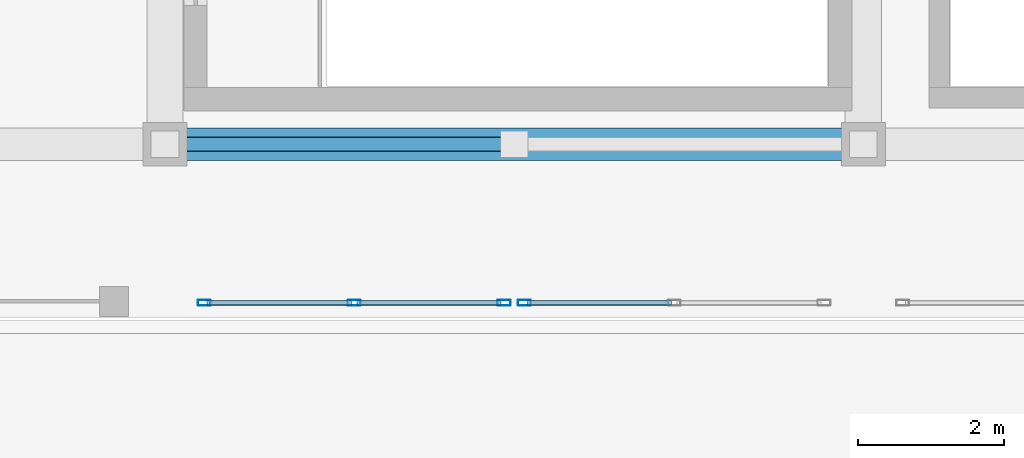
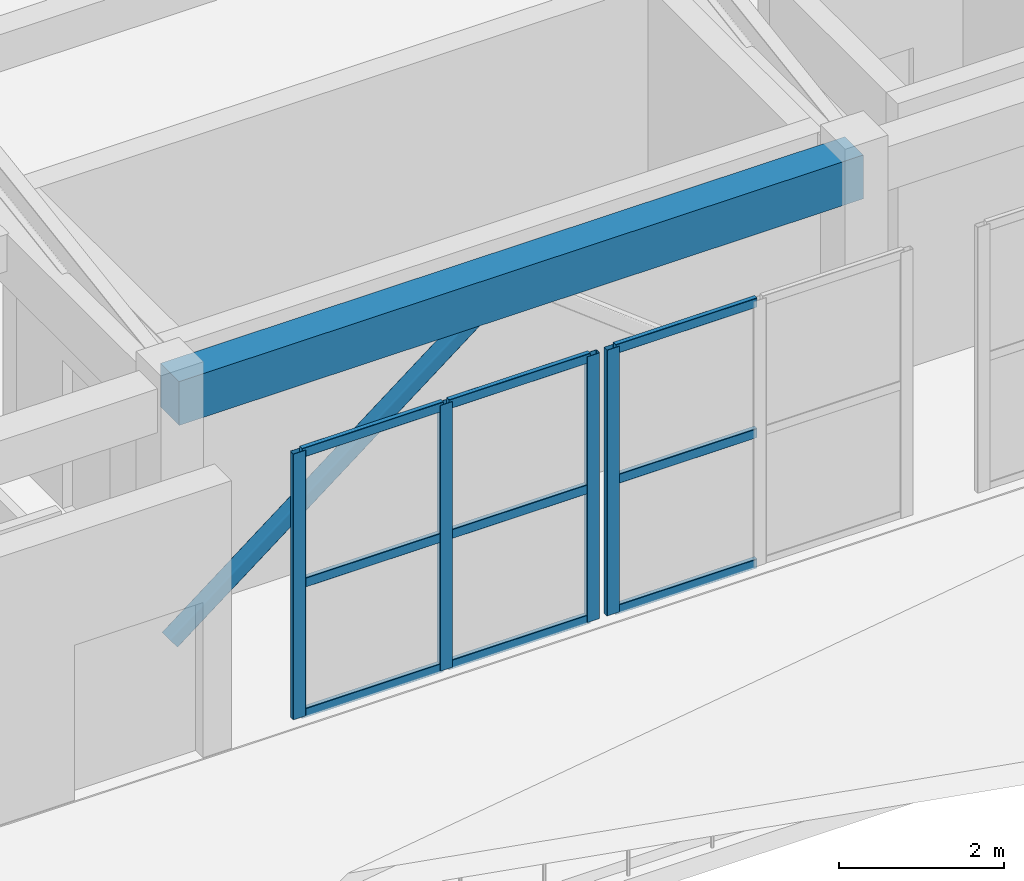
# One storey, part 2 of 29: 14 members, 1 beam, 2 elements without a shape of their own.
"""IFC4 building model written with IfcOpenShell, lengths in metres."""

from ifc_helpers import new_model, si_unit, direction, frame, origin, origin_2d, place, context, subcontext, project, spatial, rectangle, hollow_rectangle, extrude, material, layer, layer_set, material_profile, profile_set, type_object, element, aggregate, save


model = new_model("IFC4")

# Units and contexts
model_context = context("Model", 3, precision=1e-05, world=origin(), true_north=direction((0.0, 1.0)))
body_context = subcontext(model_context, "Body", "Model", "MODEL_VIEW")
ifc_project = project(units=[si_unit("LENGTHUNIT", "METRE"), si_unit("AREAUNIT", "SQUARE_METRE"), si_unit("VOLUMEUNIT", "CUBIC_METRE"), si_unit("PLANEANGLEUNIT", "RADIAN"), si_unit("MASSUNIT", "GRAM", prefix="KILO")], contexts=[model_context])

# Site, building, storey
site_placement = place(None, origin())
site = spatial("IfcSite", under=ifc_project, at=site_placement, CompositionType="ELEMENT")
building_placement = place(site_placement, origin())
building = spatial("IfcBuilding", under=site, at=building_placement, Name="Tarnavel Promenade Courthouse", CompositionType="ELEMENT")
storey_placement = place(building_placement, frame((0.0, 0.0, 22.800048828125)))
storey = spatial("IfcBuildingStorey", under=building, at=storey_placement, Name="L06", CompositionType="ELEMENT", Elevation=22.800048828125)

# Beam
ifc_material_1 = material(Name="Concrete C40/50", Category="concrete")
ifc_material_profile_1 = material_profile(ifc_material_1, rectangle(XDim=0.449951171875, YDim=0.64990234375, at=origin_2d()), Name="RC 450x650")
ifc_profile_set_1 = profile_set([ifc_material_profile_1], Name="Concrete C40/50")
beam_type = type_object("IfcBeamType", Name="Concrete C40/50 BM-RC-450x650 (RC 450x650)", PredefinedType="T_BEAM", material=ifc_profile_set_1)
beam_placement = place(storey_placement, frame((9.60009765625, 74.39990234375, 3.639892578125), z_axis=(1.0, 0.0, 0.0), x_axis=(0.0, 1.0, 0.0)))
element("IfcBeam", 1, at=beam_placement, inside=storey, type_object=beam_type, Name="L06 Primary Longitudinal Beam 2392", PredefinedType="T_BEAM", context=body_context, shape_type="SweptSolid", body=[
    extrude(rectangle(XDim=0.449951171875, YDim=0.64990234375, at=origin_2d()), origin(), (0.0, 0.0, 1.0), 9.599853515625),
])

# Member
ifc_material_2 = material(Name="Steel S355J2", Category="steel")
ifc_material_profile_2 = material_profile(ifc_material_2, hollow_rectangle(XDim=0.199951171875, YDim=0.199951171875, WallThickness=0.012451171875, InnerFilletRadius=0.012451171875, OuterFilletRadius=0.02490234375, at=origin_2d()), Name="SHS 200x200x12.5")
ifc_profile_set_2 = profile_set([ifc_material_profile_2], Name="Steel S355J2")
member_type_1 = type_object("IfcMemberType", Name="Steel S355J2 MEM-BR-SHS200 (SHS 200x200x12.5)", PredefinedType="BRACE", material=ifc_profile_set_2)
member_1_placement = place(storey_placement, frame((9.60009765625, 74.39990234375, 0.0), z_axis=(0.790814145279, 0.0, 0.612056359845), x_axis=(0.0, 1.0, 0.0)))
element("IfcMember", 2, at=member_1_placement, inside=storey, type_object=member_type_1, Name="L06 V2 Chevron Brace A 034", PredefinedType="BRACE", context=body_context, shape_type="SweptSolid", body=[
    extrude(hollow_rectangle(XDim=0.199951171875, YDim=0.199951171875, WallThickness=0.012451171875, InnerFilletRadius=0.012451171875, OuterFilletRadius=0.02490234375, at=origin_2d()), origin(), (0.0, 0.0, 1.0), 6.0693359375),
])

# Curtain wall, members
ifc_material_3 = material(Name="Thermally Broken Anodised Aluminium Curtain Wall System", Category="aluminium")
ifc_layer = layer(ifc_material_3, 0.195068359375)
ifc_layer_set = layer_set([ifc_layer], Name="Thermally Broken Anodised Aluminium Curtain Wall System")
curtain_wall_type = type_object("IfcCurtainWallType", Name="Thermally Broken Aluminium Triple-Glazed Curtain Wall CW-TER", PredefinedType="NOTDEFINED", material=ifc_layer_set)
curtain_wall_1_placement = place(storey_placement, origin())
curtain_wall_1 = element("IfcCurtainWall", 3, at=curtain_wall_1_placement, inside=storey, type_object=curtain_wall_type, Name="L06 Trial Wing Roof-Garden Glazed Bay 185", PredefinedType="NOTDEFINED")
ifc_material_4 = material(Name="Thermally Broken Anodised Aluminium Frame", Category="aluminium")
ifc_material_profile_3 = material_profile(ifc_material_4, hollow_rectangle(XDim=0.080078125, YDim=0.179931640625, WallThickness=0.0048828125, InnerFilletRadius=0.0048828125, OuterFilletRadius=0.010009765625, at=origin_2d()), Name="CWM 180x80x5")
ifc_profile_set_3 = profile_set([ifc_material_profile_3], Name="Thermally Broken Anodised Aluminium Frame")
member_type_2 = type_object("IfcMemberType", Name="Thermally Broken Anodised Aluminium CWM-155 (CWM 180x80x5)", PredefinedType="MULLION", material=ifc_profile_set_3)
member_2_placement = place(storey_placement, frame((10.139892578125, 72.219970703125, 0.0), z_axis=(0.0, 0.0, 1.0), x_axis=(0.0, 1.0, 0.0)))
member_2 = element("IfcMember", 4, at=member_2_placement, type_object=member_type_2, Name="CW-06 mullion 1", PredefinedType="MULLION", context=body_context, shape_type="SweptSolid", body=[
    extrude(hollow_rectangle(XDim=0.080078125, YDim=0.179931640625, WallThickness=0.0048828125, InnerFilletRadius=0.0048828125, OuterFilletRadius=0.010009765625, at=origin_2d()), origin(), (0.0, 0.0, 1.0), 3.93994140625),
])
member_3_placement = place(storey_placement, frame((12.199951171875, 72.219970703125, 0.0), z_axis=(0.0, 0.0, 1.0), x_axis=(0.0, 1.0, 0.0)))
member_3 = element("IfcMember", 5, at=member_3_placement, type_object=member_type_2, Name="CW-06 mullion 2", PredefinedType="MULLION", context=body_context, shape_type="SweptSolid", body=[
    extrude(hollow_rectangle(XDim=0.080078125, YDim=0.179931640625, WallThickness=0.0048828125, InnerFilletRadius=0.0048828125, OuterFilletRadius=0.010009765625, at=origin_2d()), origin(), (0.0, 0.0, 1.0), 3.93994140625),
])
member_4_placement = place(storey_placement, frame((14.260009765625, 72.219970703125, 0.0), z_axis=(0.0, 0.0, 1.0), x_axis=(0.0, 1.0, 0.0)))
member_4 = element("IfcMember", 6, at=member_4_placement, type_object=member_type_2, Name="CW-06 mullion 3", PredefinedType="MULLION", context=body_context, shape_type="SweptSolid", body=[
    extrude(hollow_rectangle(XDim=0.080078125, YDim=0.179931640625, WallThickness=0.0048828125, InnerFilletRadius=0.0048828125, OuterFilletRadius=0.010009765625, at=origin_2d()), origin(), (0.0, 0.0, 1.0), 3.93994140625),
])

# Curtain wall, member
curtain_wall_2_placement = place(storey_placement, origin())
curtain_wall_2 = element("IfcCurtainWall", 7, at=curtain_wall_2_placement, inside=storey, type_object=curtain_wall_type, Name="L06 Trial Wing Roof-Garden Glazed Bay 186", PredefinedType="NOTDEFINED")
member_5_placement = place(storey_placement, frame((14.5400390625, 72.219970703125, 0.0), z_axis=(0.0, 0.0, 1.0), x_axis=(0.0, 1.0, 0.0)))
member_5 = element("IfcMember", 8, at=member_5_placement, type_object=member_type_2, Name="CW-06 mullion 1", PredefinedType="MULLION", context=body_context, shape_type="SweptSolid", body=[
    extrude(hollow_rectangle(XDim=0.080078125, YDim=0.179931640625, WallThickness=0.0048828125, InnerFilletRadius=0.0048828125, OuterFilletRadius=0.010009765625, at=origin_2d()), origin(), (0.0, 0.0, 1.0), 3.93994140625),
])

# Member
ifc_material_profile_4 = material_profile(ifc_material_4, hollow_rectangle(XDim=0.070068359375, YDim=0.139892578125, WallThickness=0.0048828125, InnerFilletRadius=0.0048828125, OuterFilletRadius=0.010009765625, at=origin_2d()), Name="CWT 140x70x5")
ifc_profile_set_4 = profile_set([ifc_material_profile_4], Name="Thermally Broken Anodised Aluminium Frame")
member_type_3 = type_object("IfcMemberType", Name="Thermally Broken Anodised Aluminium CWT-125 (CWT 140x70x5)", PredefinedType="USERDEFINED", material=ifc_profile_set_4)
member_6_placement = place(storey_placement, frame((10.179931640625, 72.219970703125, 0.034912109375), z_axis=(1.0, 0.0, 0.0), x_axis=(0.0, 1.0, 0.0)))
member_6 = element("IfcMember", 9, at=member_6_placement, type_object=member_type_3, Name="CW-06 transom 1.1", ObjectType="TRANSOM", PredefinedType="USERDEFINED", context=body_context, shape_type="SweptSolid", body=[
    extrude(hollow_rectangle(XDim=0.070068359375, YDim=0.139892578125, WallThickness=0.0048828125, InnerFilletRadius=0.0048828125, OuterFilletRadius=0.010009765625, at=origin_2d()), origin(), (0.0, 0.0, 1.0), 1.97998046875),
])

member_7_placement = place(storey_placement, frame((10.179931640625, 72.219970703125, 1.969970703125), z_axis=(1.0, 0.0, 0.0), x_axis=(0.0, 1.0, 0.0)))
member_7 = element("IfcMember", 10, at=member_7_placement, type_object=member_type_3, Name="CW-06 transom 1.2", ObjectType="TRANSOM", PredefinedType="USERDEFINED", context=body_context, shape_type="SweptSolid", body=[
    extrude(hollow_rectangle(XDim=0.070068359375, YDim=0.139892578125, WallThickness=0.0048828125, InnerFilletRadius=0.0048828125, OuterFilletRadius=0.010009765625, at=origin_2d()), origin(), (0.0, 0.0, 1.0), 1.97998046875),
])

member_8_placement = place(storey_placement, frame((10.179931640625, 72.219970703125, 3.905029296875), z_axis=(1.0, 0.0, 0.0), x_axis=(0.0, 1.0, 0.0)))
member_8 = element("IfcMember", 11, at=member_8_placement, type_object=member_type_3, Name="CW-06 transom 1.3", ObjectType="TRANSOM", PredefinedType="USERDEFINED", context=body_context, shape_type="SweptSolid", body=[
    extrude(hollow_rectangle(XDim=0.070068359375, YDim=0.139892578125, WallThickness=0.0048828125, InnerFilletRadius=0.0048828125, OuterFilletRadius=0.010009765625, at=origin_2d()), origin(), (0.0, 0.0, 1.0), 1.97998046875),
])

member_9_placement = place(storey_placement, frame((12.239990234375, 72.219970703125, 0.034912109375), z_axis=(1.0, 0.0, 0.0), x_axis=(0.0, 1.0, 0.0)))
member_9 = element("IfcMember", 12, at=member_9_placement, type_object=member_type_3, Name="CW-06 transom 2.1", ObjectType="TRANSOM", PredefinedType="USERDEFINED", context=body_context, shape_type="SweptSolid", body=[
    extrude(hollow_rectangle(XDim=0.070068359375, YDim=0.139892578125, WallThickness=0.0048828125, InnerFilletRadius=0.0048828125, OuterFilletRadius=0.010009765625, at=origin_2d()), origin(), (0.0, 0.0, 1.0), 1.97998046875),
])

member_10_placement = place(storey_placement, frame((12.239990234375, 72.219970703125, 1.969970703125), z_axis=(1.0, 0.0, 0.0), x_axis=(0.0, 1.0, 0.0)))
member_10 = element("IfcMember", 13, at=member_10_placement, type_object=member_type_3, Name="CW-06 transom 2.2", ObjectType="TRANSOM", PredefinedType="USERDEFINED", context=body_context, shape_type="SweptSolid", body=[
    extrude(hollow_rectangle(XDim=0.070068359375, YDim=0.139892578125, WallThickness=0.0048828125, InnerFilletRadius=0.0048828125, OuterFilletRadius=0.010009765625, at=origin_2d()), origin(), (0.0, 0.0, 1.0), 1.97998046875),
])

member_11_placement = place(storey_placement, frame((12.239990234375, 72.219970703125, 3.905029296875), z_axis=(1.0, 0.0, 0.0), x_axis=(0.0, 1.0, 0.0)))
member_11 = element("IfcMember", 14, at=member_11_placement, type_object=member_type_3, Name="CW-06 transom 2.3", ObjectType="TRANSOM", PredefinedType="USERDEFINED", context=body_context, shape_type="SweptSolid", body=[
    extrude(hollow_rectangle(XDim=0.070068359375, YDim=0.139892578125, WallThickness=0.0048828125, InnerFilletRadius=0.0048828125, OuterFilletRadius=0.010009765625, at=origin_2d()), origin(), (0.0, 0.0, 1.0), 1.97998046875),
])

aggregate(curtain_wall_1, [member_2, member_3, member_4, member_6, member_7, member_8, member_9, member_10, member_11])

member_12_placement = place(storey_placement, frame((14.580078125, 72.219970703125, 0.034912109375), z_axis=(1.0, 0.0, 0.0), x_axis=(0.0, 1.0, 0.0)))
member_12 = element("IfcMember", 15, at=member_12_placement, type_object=member_type_3, Name="CW-06 transom 1.1", ObjectType="TRANSOM", PredefinedType="USERDEFINED", context=body_context, shape_type="SweptSolid", body=[
    extrude(hollow_rectangle(XDim=0.070068359375, YDim=0.139892578125, WallThickness=0.0048828125, InnerFilletRadius=0.0048828125, OuterFilletRadius=0.010009765625, at=origin_2d()), origin(), (0.0, 0.0, 1.0), 1.97998046875),
])

member_13_placement = place(storey_placement, frame((14.580078125, 72.219970703125, 1.969970703125), z_axis=(1.0, 0.0, 0.0), x_axis=(0.0, 1.0, 0.0)))
member_13 = element("IfcMember", 16, at=member_13_placement, type_object=member_type_3, Name="CW-06 transom 1.2", ObjectType="TRANSOM", PredefinedType="USERDEFINED", context=body_context, shape_type="SweptSolid", body=[
    extrude(hollow_rectangle(XDim=0.070068359375, YDim=0.139892578125, WallThickness=0.0048828125, InnerFilletRadius=0.0048828125, OuterFilletRadius=0.010009765625, at=origin_2d()), origin(), (0.0, 0.0, 1.0), 1.97998046875),
])

member_14_placement = place(storey_placement, frame((14.580078125, 72.219970703125, 3.905029296875), z_axis=(1.0, 0.0, 0.0), x_axis=(0.0, 1.0, 0.0)))
member_14 = element("IfcMember", 17, at=member_14_placement, type_object=member_type_3, Name="CW-06 transom 1.3", ObjectType="TRANSOM", PredefinedType="USERDEFINED", context=body_context, shape_type="SweptSolid", body=[
    extrude(hollow_rectangle(XDim=0.070068359375, YDim=0.139892578125, WallThickness=0.0048828125, InnerFilletRadius=0.0048828125, OuterFilletRadius=0.010009765625, at=origin_2d()), origin(), (0.0, 0.0, 1.0), 1.97998046875),
])

aggregate(curtain_wall_2, [member_5, member_12, member_13, member_14])

save(model, "model.ifc")
